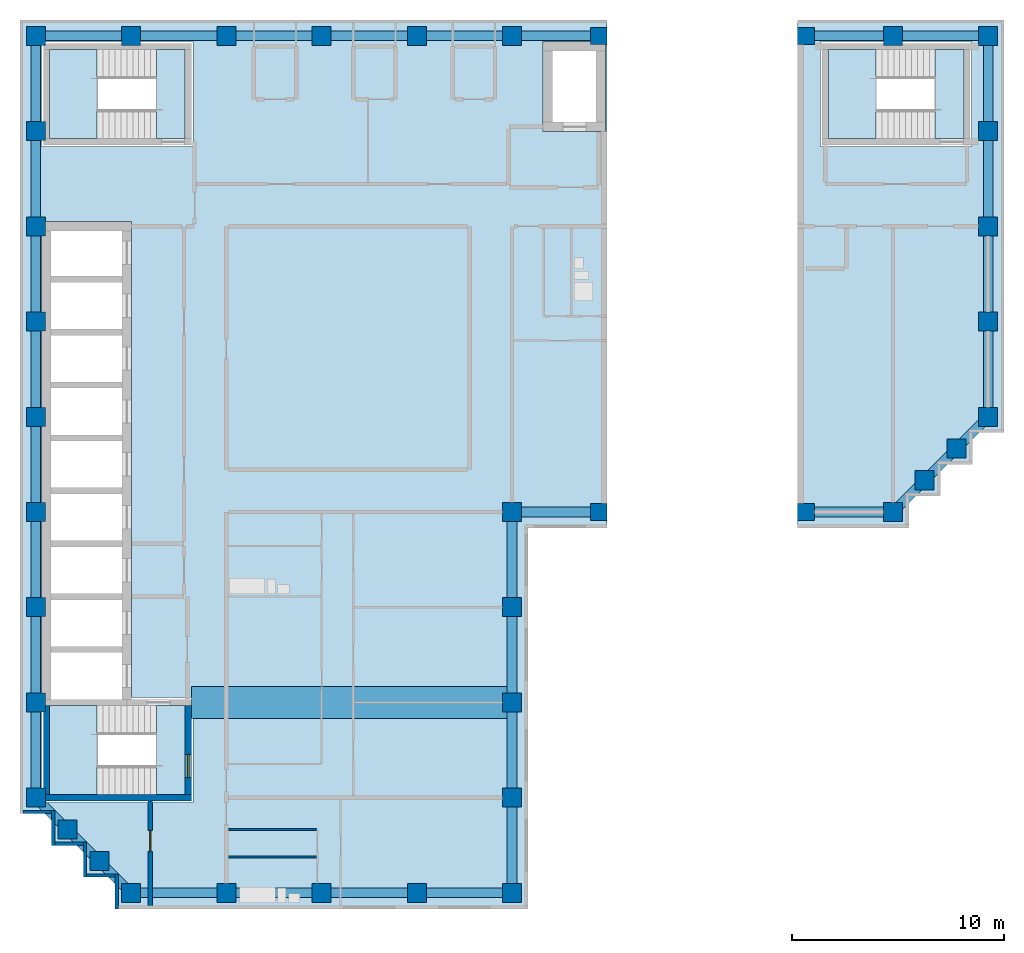
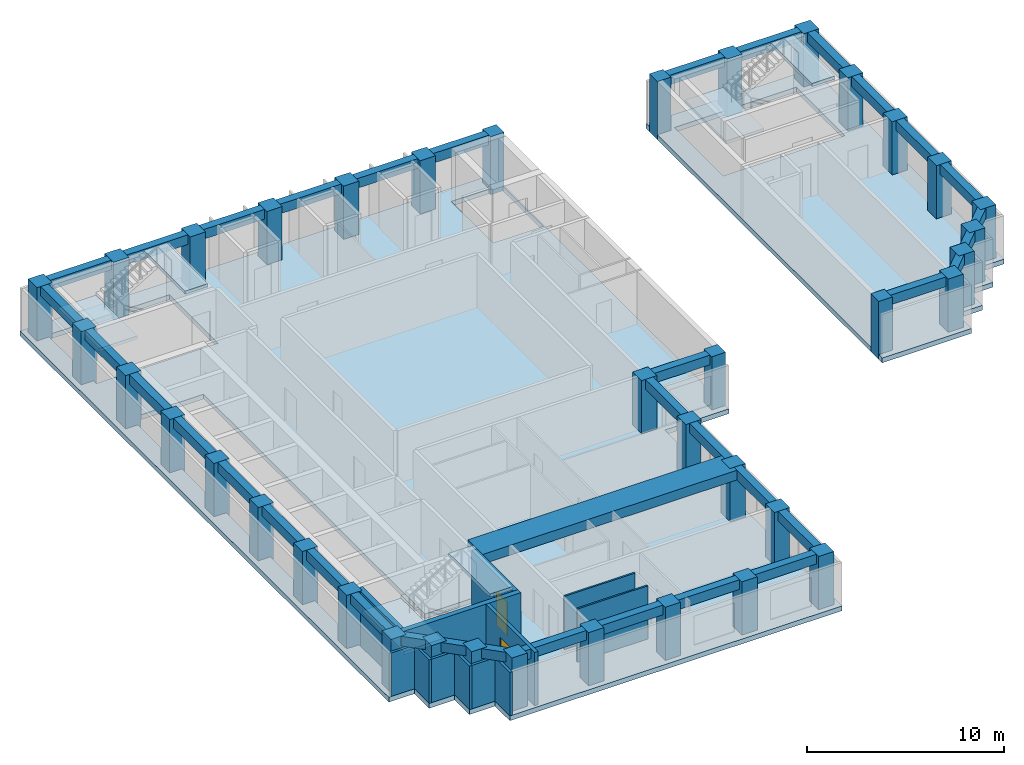
# One storey, part 1 of 7: 38 columns, 37 beams, 12 walls, 8 slabs, 2 doors, 2 openings, 3 elements without a shape of their own.
"""IFC4 building model written with IfcOpenShell, lengths in metres."""

from ifc_helpers import new_model, si_unit, direction, frame, frame_2d, origin, origin_2d, place, context, subcontext, project, spatial, polyline, rectangle, outline, extrude, material, layer, layer_set, material_profile, profile_set, type_object, element, fill, aggregate, save


model = new_model("IFC4")

# Units and contexts
model_context = context("Model", 3, precision=1e-05, world=origin(), true_north=direction((0.0, 1.0)))
body_context = subcontext(model_context, "Body", "Model", "MODEL_VIEW")
ifc_project = project(units=[si_unit("LENGTHUNIT", "METRE"), si_unit("AREAUNIT", "SQUARE_METRE"), si_unit("VOLUMEUNIT", "CUBIC_METRE"), si_unit("PLANEANGLEUNIT", "RADIAN"), si_unit("MASSUNIT", "GRAM", prefix="KILO")], contexts=[model_context])

# Site, building, storey
site_placement = place(None, origin())
site = spatial("IfcSite", under=ifc_project, at=site_placement, CompositionType="ELEMENT")
building_placement = place(site_placement, origin())
building = spatial("IfcBuilding", under=site, at=building_placement, Name="Firuza Court", CompositionType="ELEMENT")
storey_placement = place(building_placement, frame((0.0, 0.0, 243.800048828125)))
storey = spatial("IfcBuildingStorey", under=building, at=storey_placement, Name="L63", CompositionType="ELEMENT", Elevation=243.800048828125)

# Columns
ifc_material_1 = material(Name="Concrete C60/75", Category="concrete")
ifc_material_profile_1 = material_profile(ifc_material_1, rectangle(XDim=0.800048828125, YDim=0.800048828125, at=origin_2d()), Name="RC 800x800")
ifc_profile_set_1 = profile_set([ifc_material_profile_1], Name="Concrete C60/75")
column_type_1 = type_object("IfcColumnType", Name="Portal frame column RC 800x800 C60/75", PredefinedType="COLUMN", material=ifc_profile_set_1)
for number, where, z_axis, x_axis, name in (
    (1, (26.60009765625, 36.0, -0.300048828125), (0.0, 0.0, 1.0), (1.0, 0.0, 0.0), "Column C-PWS L63"),
    (2, (36.39990234375, 36.0, -0.300048828125), (0.0, 0.0, 1.0), (1.0, 0.0, 0.0), "Column C-PES L63"),
    (3, (26.60009765625, 58.5, -0.300048828125), (0.0, 0.0, 1.0), (1.0, 0.0, 0.0), "Column C-PWN L63"),
    (4, (36.39990234375, 58.5, -0.300048828125), (0.0, 0.0, 1.0), (1.0, 0.0, 0.0), "Column C-PEN L63"),
):
    element("IfcColumn", number, at=place(storey_placement, frame(where, z_axis=z_axis, x_axis=x_axis)), inside=storey, type_object=column_type_1, Name=name, PredefinedType="COLUMN", context=body_context, shape_type="SweptSolid", body=[
        extrude(rectangle(XDim=0.800048828125, YDim=0.800048828125, at=origin_2d()), origin(), (0.0, 0.0, 1.0), 3.60009765625),
    ])
ifc_material_2 = material(Name="Concrete C50/60", Category="concrete")
ifc_material_profile_2 = material_profile(ifc_material_2, rectangle(XDim=0.89990234375, YDim=0.89990234375, at=origin_2d()), Name="RC 900x900")
ifc_profile_set_2 = profile_set([ifc_material_profile_2], Name="Concrete C50/60")
column_type_2 = type_object("IfcColumnType", Name="Tube column RC 900x900 C50/60", PredefinedType="COLUMN", material=ifc_profile_set_2)
for number, where, z_axis, x_axis, name in (
    (5, (4.5, 18.0, -0.300048828125), (0.0, 0.0, 1.0), (1.0, 0.0, 0.0), "Column C-2H L63"),
    (6, (9.0, 18.0, -0.300048828125), (0.0, 0.0, 1.0), (1.0, 0.0, 0.0), "Column C-3H L63"),
    (7, (13.5, 18.0, -0.300048828125), (0.0, 0.0, 1.0), (1.0, 0.0, 0.0), "Column C-4H L63"),
    (8, (18.0, 18.0, -0.300048828125), (0.0, 0.0, 1.0), (1.0, 0.0, 0.0), "Column C-5H L63"),
    (9, (22.5, 18.0, -0.300048828125), (0.0, 0.0, 1.0), (1.0, 0.0, 0.0), "Column C-6H L63"),
    (10, (3.0, 19.5, -0.300048828125), (0.0, 0.0, 1.0), (1.0, 0.0, 0.0), "Column C-SA1 L63"),
    (11, (1.5, 21.0, -0.300048828125), (0.0, 0.0, 1.0), (1.0, 0.0, 0.0), "Column C-SA2 L63"),
    (12, (0.0, 22.5, -0.300048828125), (0.0, 0.0, 1.0), (1.0, 0.0, 0.0), "Column C-1J L63"),
    (13, (22.5, 22.5, -0.300048828125), (0.0, 0.0, 1.0), (1.0, 0.0, 0.0), "Column C-6J L63"),
    (14, (0.0, 27.0, -0.300048828125), (0.0, 0.0, 1.0), (1.0, 0.0, 0.0), "Column C-1K L63"),
    (15, (22.5, 27.0, -0.300048828125), (0.0, 0.0, 1.0), (1.0, 0.0, 0.0), "Column C-6K L63"),
    (16, (0.0, 31.5, -0.300048828125), (0.0, 0.0, 1.0), (1.0, 0.0, 0.0), "Column C-1L L63"),
    (17, (22.5, 31.5, -0.300048828125), (0.0, 0.0, 1.0), (1.0, 0.0, 0.0), "Column C-6L L63"),
    (18, (0.0, 36.0, -0.300048828125), (0.0, 0.0, 1.0), (1.0, 0.0, 0.0), "Column C-1M L63"),
    (19, (22.5, 36.0, -0.300048828125), (0.0, 0.0, 1.0), (1.0, 0.0, 0.0), "Column C-6M L63"),
    (20, (40.5, 36.0, -0.300048828125), (0.0, 0.0, 1.0), (1.0, 0.0, 0.0), "Column C-10M L63"),
    (21, (42.0, 37.5, -0.300048828125), (0.0, 0.0, 1.0), (1.0, 0.0, 0.0), "Column C-SA3 L63"),
    (22, (43.5, 39.0, -0.300048828125), (0.0, 0.0, 1.0), (1.0, 0.0, 0.0), "Column C-SA4 L63"),
    (23, (0.0, 40.5, -0.300048828125), (0.0, 0.0, 1.0), (1.0, 0.0, 0.0), "Column C-1N L63"),
    (24, (45.0, 40.5, -0.300048828125), (0.0, 0.0, 1.0), (1.0, 0.0, 0.0), "Column C-11N L63"),
    (25, (0.0, 45.0, -0.300048828125), (0.0, 0.0, 1.0), (1.0, 0.0, 0.0), "Column C-1P L63"),
    (26, (45.0, 45.0, -0.300048828125), (0.0, 0.0, 1.0), (1.0, 0.0, 0.0), "Column C-11P L63"),
    (27, (0.0, 49.5, -0.300048828125), (0.0, 0.0, 1.0), (1.0, 0.0, 0.0), "Column C-1Q L63"),
    (28, (45.0, 49.5, -0.300048828125), (0.0, 0.0, 1.0), (1.0, 0.0, 0.0), "Column C-11Q L63"),
    (29, (0.0, 54.0, -0.300048828125), (0.0, 0.0, 1.0), (1.0, 0.0, 0.0), "Column C-1R L63"),
    (30, (45.0, 54.0, -0.300048828125), (0.0, 0.0, 1.0), (1.0, 0.0, 0.0), "Column C-11R L63"),
    (31, (0.0, 58.5, -0.300048828125), (0.0, 0.0, 1.0), (1.0, 0.0, 0.0), "Column C-1S L63"),
    (32, (4.5, 58.5, -0.300048828125), (0.0, 0.0, 1.0), (1.0, 0.0, 0.0), "Column C-2S L63"),
    (33, (9.0, 58.5, -0.300048828125), (0.0, 0.0, 1.0), (1.0, 0.0, 0.0), "Column C-3S L63"),
    (34, (13.5, 58.5, -0.300048828125), (0.0, 0.0, 1.0), (1.0, 0.0, 0.0), "Column C-4S L63"),
    (35, (18.0, 58.5, -0.300048828125), (0.0, 0.0, 1.0), (1.0, 0.0, 0.0), "Column C-5S L63"),
    (36, (22.5, 58.5, -0.300048828125), (0.0, 0.0, 1.0), (1.0, 0.0, 0.0), "Column C-6S L63"),
    (37, (40.5, 58.5, -0.300048828125), (0.0, 0.0, 1.0), (1.0, 0.0, 0.0), "Column C-10S L63"),
    (38, (45.0, 58.5, -0.300048828125), (0.0, 0.0, 1.0), (1.0, 0.0, 0.0), "Column C-11S L63"),
):
    element("IfcColumn", number, at=place(storey_placement, frame(where, z_axis=z_axis, x_axis=x_axis)), inside=storey, type_object=column_type_2, Name=name, PredefinedType="COLUMN", context=body_context, shape_type="SweptSolid", body=[
        extrude(rectangle(XDim=0.89990234375, YDim=0.89990234375, at=origin_2d()), origin(), (0.0, 0.0, 1.0), 3.60009765625),
    ])

# Beams
ifc_material_3 = material(Name="Concrete C40/50", Category="concrete")
ifc_material_profile_3 = material_profile(ifc_material_3, rectangle(XDim=1.5, YDim=0.60009765625, at=origin_2d()), Name="RC 1500x600")
ifc_profile_set_3 = profile_set([ifc_material_profile_3], Name="Concrete C40/50")
beam_type_1 = type_object("IfcBeamType", Name="Band beam RC 1500x600 C40/50", PredefinedType="BEAM", material=ifc_profile_set_3)
beam_1_placement = place(storey_placement, frame((22.5, 27.0, 3.0), z_axis=(-1.0, 0.0, 0.0), x_axis=(0.0, -1.0, 0.0)))
element("IfcBeam", 39, at=beam_1_placement, inside=storey, type_object=beam_type_1, Name="Band beam FB3 level L64", PredefinedType="BEAM", context=body_context, shape_type="SweptSolid", body=[
    extrude(rectangle(XDim=1.5, YDim=0.60009765625, at=origin_2d()), origin(), (0.0, 0.0, 1.0), 15.14990234375),
])
ifc_material_4 = material(Name="Concrete C40/50", Category="concrete")
ifc_material_profile_4 = material_profile(ifc_material_4, rectangle(XDim=0.449951171875, YDim=0.60009765625, at=origin_2d()), Name="RC 450x600")
ifc_profile_set_4 = profile_set([ifc_material_profile_4], Name="Concrete C40/50")
beam_type_2 = type_object("IfcBeamType", Name="Spandrel beam RC 450x600 C40/50", PredefinedType="BEAM", material=ifc_profile_set_4)
beam_2_placement = place(storey_placement, frame((0.0, 22.5, 3.0), z_axis=(0.707106781187, -0.707106781187, 0.0), x_axis=(0.707106781187, 0.707106781187, 0.0)))
element("IfcBeam", 40, at=beam_2_placement, inside=storey, type_object=beam_type_2, Name="Spandrel beam SP15 level L64", PredefinedType="BEAM", context=body_context, shape_type="SweptSolid", body=[
    extrude(rectangle(XDim=0.449951171875, YDim=0.60009765625, at=origin_2d()), origin(), (0.0, 0.0, 1.0), 2.121337890625),
])
for number, where, z_axis, x_axis, name in (
    (41, (0.0, 27.0, 3.0), (0.0, -1.0, 0.0), (1.0, 0.0, 0.0), "Spandrel beam SP15 level L64"),
    (42, (0.0, 31.5, 3.0), (0.0, -1.0, 0.0), (1.0, 0.0, 0.0), "Spandrel beam SP15 level L64"),
    (43, (0.0, 36.0, 3.0), (0.0, -1.0, 0.0), (1.0, 0.0, 0.0), "Spandrel beam SP15 level L64"),
    (44, (0.0, 40.5, 3.0), (0.0, -1.0, 0.0), (1.0, 0.0, 0.0), "Spandrel beam SP15 level L64"),
    (45, (0.0, 45.0, 3.0), (0.0, -1.0, 0.0), (1.0, 0.0, 0.0), "Spandrel beam SP15 level L64"),
    (46, (0.0, 49.5, 3.0), (0.0, -1.0, 0.0), (1.0, 0.0, 0.0), "Spandrel beam SP15 level L64"),
    (47, (0.0, 54.0, 3.0), (0.0, -1.0, 0.0), (1.0, 0.0, 0.0), "Spandrel beam SP15 level L64"),
    (48, (0.0, 58.5, 3.0), (0.0, -1.0, 0.0), (1.0, 0.0, 0.0), "Spandrel beam SP15 level L64"),
):
    element("IfcBeam", number, at=place(storey_placement, frame(where, z_axis=z_axis, x_axis=x_axis)), inside=storey, type_object=beam_type_2, Name=name, PredefinedType="BEAM", context=body_context, shape_type="SweptSolid", body=[
        extrude(rectangle(XDim=0.449951171875, YDim=0.60009765625, at=origin_2d()), origin(), (0.0, 0.0, 1.0), 4.5),
    ])
for number, where, z_axis, x_axis, name in (
    (49, (1.5, 21.0, 3.0), (0.707106781187, -0.707106781187, 0.0), (0.707106781187, 0.707106781187, 0.0), "Spandrel beam SP15 level L64"),
    (50, (3.0, 19.5, 3.0), (0.707106781187, -0.707106781187, 0.0), (0.707106781187, 0.707106781187, 0.0), "Spandrel beam SP15 level L64"),
):
    element("IfcBeam", number, at=place(storey_placement, frame(where, z_axis=z_axis, x_axis=x_axis)), inside=storey, type_object=beam_type_2, Name=name, PredefinedType="BEAM", context=body_context, shape_type="SweptSolid", body=[
        extrude(rectangle(XDim=0.449951171875, YDim=0.60009765625, at=origin_2d()), origin(), (0.0, 0.0, 1.0), 2.121337890625),
    ])
for number, where, z_axis, x_axis, name in (
    (51, (4.5, 18.0, 3.0), (1.0, 0.0, 0.0), (0.0, 1.0, 0.0), "Spandrel beam SP15 level L64"),
    (52, (4.5, 58.5, 3.0), (-1.0, 0.0, 0.0), (0.0, -1.0, 0.0), "Spandrel beam SP15 level L64"),
    (53, (9.0, 18.0, 3.0), (1.0, 0.0, 0.0), (0.0, 1.0, 0.0), "Spandrel beam SP15 level L64"),
    (54, (9.0, 58.5, 3.0), (-1.0, 0.0, 0.0), (0.0, -1.0, 0.0), "Spandrel beam SP15 level L64"),
    (55, (13.5, 18.0, 3.0), (1.0, 0.0, 0.0), (0.0, 1.0, 0.0), "Spandrel beam SP15 level L64"),
    (56, (13.5, 58.5, 3.0), (-1.0, 0.0, 0.0), (0.0, -1.0, 0.0), "Spandrel beam SP15 level L64"),
    (57, (18.0, 18.0, 3.0), (1.0, 0.0, 0.0), (0.0, 1.0, 0.0), "Spandrel beam SP15 level L64"),
    (58, (18.0, 58.5, 3.0), (-1.0, 0.0, 0.0), (0.0, -1.0, 0.0), "Spandrel beam SP15 level L64"),
    (59, (22.5, 18.0, 3.0), (0.0, 1.0, 0.0), (-1.0, 0.0, 0.0), "Spandrel beam SP15 level L64"),
    (60, (22.5, 22.5, 3.0), (0.0, 1.0, 0.0), (-1.0, 0.0, 0.0), "Spandrel beam SP15 level L64"),
    (61, (22.5, 27.0, 3.0), (0.0, 1.0, 0.0), (-1.0, 0.0, 0.0), "Spandrel beam SP15 level L64"),
    (62, (22.5, 31.5, 3.0), (0.0, 1.0, 0.0), (-1.0, 0.0, 0.0), "Spandrel beam SP15 level L64"),
):
    element("IfcBeam", number, at=place(storey_placement, frame(where, z_axis=z_axis, x_axis=x_axis)), inside=storey, type_object=beam_type_2, Name=name, PredefinedType="BEAM", context=body_context, shape_type="SweptSolid", body=[
        extrude(rectangle(XDim=0.449951171875, YDim=0.60009765625, at=origin_2d()), origin(), (0.0, 0.0, 1.0), 4.5),
    ])
beam_3_placement = place(storey_placement, frame((22.5, 36.0, 3.0), z_axis=(1.0, 0.0, 0.0), x_axis=(0.0, 1.0, 0.0)))
element("IfcBeam", 63, at=beam_3_placement, inside=storey, type_object=beam_type_2, Name="Spandrel beam SP15 level L64", PredefinedType="BEAM", context=body_context, shape_type="SweptSolid", body=[
    extrude(rectangle(XDim=0.449951171875, YDim=0.60009765625, at=origin_2d()), origin(), (0.0, 0.0, 1.0), 4.10009765625),
])
beam_4_placement = place(storey_placement, frame((22.5, 58.5, 3.0), z_axis=(-1.0, 0.0, 0.0), x_axis=(0.0, -1.0, 0.0)))
element("IfcBeam", 64, at=beam_4_placement, inside=storey, type_object=beam_type_2, Name="Spandrel beam SP15 level L64", PredefinedType="BEAM", context=body_context, shape_type="SweptSolid", body=[
    extrude(rectangle(XDim=0.449951171875, YDim=0.60009765625, at=origin_2d()), origin(), (0.0, 0.0, 1.0), 4.5),
])
for number, where, z_axis, x_axis, name in (
    (65, (26.60009765625, 58.5, 3.0), (-1.0, 0.0, 0.0), (0.0, -1.0, 0.0), "Spandrel beam SP15 level L64"),
    (66, (36.39990234375, 36.0, 3.0), (1.0, 0.0, 0.0), (0.0, 1.0, 0.0), "Spandrel beam SP15 level L64"),
):
    element("IfcBeam", number, at=place(storey_placement, frame(where, z_axis=z_axis, x_axis=x_axis)), inside=storey, type_object=beam_type_2, Name=name, PredefinedType="BEAM", context=body_context, shape_type="SweptSolid", body=[
        extrude(rectangle(XDim=0.449951171875, YDim=0.60009765625, at=origin_2d()), origin(), (0.0, 0.0, 1.0), 4.10009765625),
    ])
beam_5_placement = place(storey_placement, frame((40.5, 36.0, 3.0), z_axis=(0.707106781187, 0.707106781187, 0.0), x_axis=(-0.707106781187, 0.707106781187, 0.0)))
element("IfcBeam", 67, at=beam_5_placement, inside=storey, type_object=beam_type_2, Name="Spandrel beam SP15 level L64", PredefinedType="BEAM", context=body_context, shape_type="SweptSolid", body=[
    extrude(rectangle(XDim=0.449951171875, YDim=0.60009765625, at=origin_2d()), origin(), (0.0, 0.0, 1.0), 2.121337890625),
])
beam_6_placement = place(storey_placement, frame((40.5, 58.5, 3.0), z_axis=(-1.0, 0.0, 0.0), x_axis=(0.0, -1.0, 0.0)))
element("IfcBeam", 68, at=beam_6_placement, inside=storey, type_object=beam_type_2, Name="Spandrel beam SP15 level L64", PredefinedType="BEAM", context=body_context, shape_type="SweptSolid", body=[
    extrude(rectangle(XDim=0.449951171875, YDim=0.60009765625, at=origin_2d()), origin(), (0.0, 0.0, 1.0), 4.10009765625),
])
for number, where, z_axis, x_axis, name in (
    (69, (42.0, 37.5, 3.0), (0.707106781187, 0.707106781187, 0.0), (-0.707106781187, 0.707106781187, 0.0), "Spandrel beam SP15 level L64"),
    (70, (43.5, 39.0, 3.0), (0.707106781187, 0.707106781187, 0.0), (-0.707106781187, 0.707106781187, 0.0), "Spandrel beam SP15 level L64"),
):
    element("IfcBeam", number, at=place(storey_placement, frame(where, z_axis=z_axis, x_axis=x_axis)), inside=storey, type_object=beam_type_2, Name=name, PredefinedType="BEAM", context=body_context, shape_type="SweptSolid", body=[
        extrude(rectangle(XDim=0.449951171875, YDim=0.60009765625, at=origin_2d()), origin(), (0.0, 0.0, 1.0), 2.121337890625),
    ])
for number, where, z_axis, x_axis, name in (
    (71, (45.0, 40.5, 3.0), (0.0, 1.0, 0.0), (-1.0, 0.0, 0.0), "Spandrel beam SP15 level L64"),
    (72, (45.0, 45.0, 3.0), (0.0, 1.0, 0.0), (-1.0, 0.0, 0.0), "Spandrel beam SP15 level L64"),
    (73, (45.0, 49.5, 3.0), (0.0, 1.0, 0.0), (-1.0, 0.0, 0.0), "Spandrel beam SP15 level L64"),
    (74, (45.0, 54.0, 3.0), (0.0, 1.0, 0.0), (-1.0, 0.0, 0.0), "Spandrel beam SP15 level L64"),
    (75, (45.0, 58.5, 3.0), (-1.0, 0.0, 0.0), (0.0, -1.0, 0.0), "Spandrel beam SP15 level L64"),
):
    element("IfcBeam", number, at=place(storey_placement, frame(where, z_axis=z_axis, x_axis=x_axis)), inside=storey, type_object=beam_type_2, Name=name, PredefinedType="BEAM", context=body_context, shape_type="SweptSolid", body=[
        extrude(rectangle(XDim=0.449951171875, YDim=0.60009765625, at=origin_2d()), origin(), (0.0, 0.0, 1.0), 4.5),
    ])

# Slabs
ifc_material_5 = material(Name="Concrete C40/50", Category="concrete")
ifc_layer_1 = layer(ifc_material_5, 0.300048828125)
ifc_layer_set_1 = layer_set([ifc_layer_1], Name="Concrete C40/50")
slab_type_1 = type_object("IfcSlabType", Name="Floor slab 300 C40/50", PredefinedType="FLOOR", material=ifc_layer_set_1)
slab_1_placement = place(storey_placement, frame((0.0, 0.0, -0.300048828125)))
element("IfcSlab", 76, at=slab_1_placement, inside=storey, type_object=slab_type_1, Name="Floor slab L63", PredefinedType="FLOOR", context=body_context, shape_type="SweptSolid", body=[
    extrude(outline(polyline([(27.0, 59.25), (27.0, 35.25), (23.25, 35.25), (23.25, 17.25), (3.75, 17.25), (3.75, 18.75), (2.25, 18.75), (2.25, 20.25), (0.75, 20.25), (0.75, 21.75), (-0.75, 21.75), (-0.75, 59.25), (27.0, 59.25)]), holes=[polyline([(0.27490234375, 34.27490234375), (0.27490234375, 32.22509765625), (0.27490234375, 31.77490234375), (0.27490234375, 29.72509765625), (0.27490234375, 29.27490234375), (0.27490234375, 27.22509765625), (0.27490234375, 26.77490234375), (0.27490234375, 22.27490234375), (7.425048828125, 22.27490234375), (7.425048828125, 27.22509765625), (4.52490234375, 27.22509765625), (4.52490234375, 29.27490234375), (4.52490234375, 29.72509765625), (4.52490234375, 31.77490234375), (4.52490234375, 32.22509765625), (4.52490234375, 34.27490234375), (4.52490234375, 34.72509765625), (4.52490234375, 36.77490234375), (4.52490234375, 37.22509765625), (4.52490234375, 39.27490234375), (4.52490234375, 39.72509765625), (4.52490234375, 41.77490234375), (4.52490234375, 42.22509765625), (4.52490234375, 44.27490234375), (4.52490234375, 44.72509765625), (4.52490234375, 46.77490234375), (4.52490234375, 47.22509765625), (4.52490234375, 49.72509765625), (0.27490234375, 49.72509765625), (0.27490234375, 47.22509765625), (0.27490234375, 46.77490234375), (0.27490234375, 44.72509765625), (0.27490234375, 44.27490234375), (0.27490234375, 42.22509765625), (0.27490234375, 41.77490234375), (0.27490234375, 39.72509765625), (0.27490234375, 39.27490234375), (0.27490234375, 37.22509765625), (0.27490234375, 36.77490234375), (0.27490234375, 34.72509765625), (0.27490234375, 34.27490234375)]), polyline([(7.425048828125, 58.22509765625), (0.27490234375, 58.22509765625), (0.27490234375, 53.27490234375), (7.425048828125, 53.27490234375), (7.425048828125, 58.22509765625)]), polyline([(26.925048828125, 58.22509765625), (23.97509765625, 58.22509765625), (23.97509765625, 53.97509765625), (26.925048828125, 53.97509765625), (26.925048828125, 58.22509765625)])]), origin(), (0.0, 0.0, 1.0), 0.300048828125),
])
slab_2_placement = place(storey_placement, frame((0.0, 0.0, -0.300048828125)))
element("IfcSlab", 77, at=slab_2_placement, inside=storey, type_object=slab_type_1, Name="Floor slab L63", PredefinedType="FLOOR", context=body_context, shape_type="SweptSolid", body=[
    extrude(outline(polyline([(45.75, 39.75), (44.25, 39.75), (44.25, 38.25), (42.75, 38.25), (42.75, 36.75), (41.25, 36.75), (41.25, 35.25), (36.0, 35.25), (36.0, 59.25), (45.75, 59.25), (45.75, 39.75)]), holes=[polyline([(44.22509765625, 58.22509765625), (37.074951171875, 58.22509765625), (37.074951171875, 53.27490234375), (44.22509765625, 53.27490234375), (44.22509765625, 58.22509765625)])]), origin(), (0.0, 0.0, 1.0), 0.300048828125),
])

# Stair, slabs
ifc_material_6 = material(Name="Concrete C40/50 precast", Category="concrete")
stair_type = type_object("IfcStairType", Name="Stair 1350 x 3600 2 flights", PredefinedType="HALF_TURN_STAIR", material=ifc_material_6)
stair_1_placement = place(storey_placement, origin())
stair_1 = element("IfcStair", 78, at=stair_1_placement, inside=storey, type_object=stair_type, Name="Stair 1 L63", PredefinedType="HALF_TURN_STAIR")
ifc_material_7 = material(Name="Concrete C40/50 precast", Category="concrete")
ifc_layer_2 = layer(ifc_material_7, 0.199951171875)
ifc_layer_set_2 = layer_set([ifc_layer_2], Name="Concrete C40/50 precast")
slab_type_2 = type_object("IfcSlabType", Name="Stair landing 200", PredefinedType="LANDING", material=ifc_layer_set_2)
slab_3_placement = place(storey_placement, frame((0.0, 0.0, 1.599853515625)))
slab_3 = element("IfcSlab", 79, at=slab_3_placement, type_object=slab_type_2, Name="S1 landing 1", PredefinedType="LANDING", context=body_context, shape_type="SweptSolid", body=[
    extrude(outline(polyline([(39.699951171875, 53.64990234375), (39.699951171875, 57.85009765625), (37.449951171875, 57.85009765625), (37.449951171875, 53.64990234375), (39.699951171875, 53.64990234375)])), origin(), (0.0, 0.0, 1.0), 0.2001953125),
])
slab_4_placement = place(storey_placement, frame((0.0, 0.0, 3.39990234375)))
slab_4 = element("IfcSlab", 80, at=slab_4_placement, type_object=slab_type_2, Name="S1 landing 2", PredefinedType="LANDING", context=body_context, shape_type="SweptSolid", body=[
    extrude(outline(polyline([(43.85009765625, 53.64990234375), (43.85009765625, 57.85009765625), (42.5, 57.85009765625), (42.5, 53.64990234375), (43.85009765625, 53.64990234375)])), origin(), (0.0, 0.0, 1.0), 0.199951171875),
])
aggregate(stair_1, [slab_3, slab_4])

stair_2_placement = place(storey_placement, origin())
stair_2 = element("IfcStair", 81, at=stair_2_placement, inside=storey, type_object=stair_type, Name="Stair 2 L63", PredefinedType="HALF_TURN_STAIR")
slab_5_placement = place(storey_placement, frame((0.0, 0.0, 1.599853515625)))
slab_5 = element("IfcSlab", 82, at=slab_5_placement, type_object=slab_type_2, Name="S2 landing 1", PredefinedType="LANDING", context=body_context, shape_type="SweptSolid", body=[
    extrude(outline(polyline([(2.89990234375, 22.64990234375), (2.89990234375, 26.85009765625), (0.64990234375, 26.85009765625), (0.64990234375, 22.64990234375), (2.89990234375, 22.64990234375)])), origin(), (0.0, 0.0, 1.0), 0.2001953125),
])
slab_6_placement = place(storey_placement, frame((0.0, 0.0, 3.39990234375)))
slab_6 = element("IfcSlab", 83, at=slab_6_placement, type_object=slab_type_2, Name="S2 landing 2", PredefinedType="LANDING", context=body_context, shape_type="SweptSolid", body=[
    extrude(outline(polyline([(7.050048828125, 22.64990234375), (7.050048828125, 26.85009765625), (5.699951171875, 26.85009765625), (5.699951171875, 22.64990234375), (7.050048828125, 22.64990234375)])), origin(), (0.0, 0.0, 1.0), 0.199951171875),
])
aggregate(stair_2, [slab_5, slab_6])

stair_3_placement = place(storey_placement, origin())
stair_3 = element("IfcStair", 84, at=stair_3_placement, inside=storey, type_object=stair_type, Name="Stair 3 L63", PredefinedType="HALF_TURN_STAIR")
slab_7_placement = place(storey_placement, frame((0.0, 0.0, 1.599853515625)))
slab_7 = element("IfcSlab", 85, at=slab_7_placement, type_object=slab_type_2, Name="S3 landing 1", PredefinedType="LANDING", context=body_context, shape_type="SweptSolid", body=[
    extrude(outline(polyline([(2.89990234375, 53.64990234375), (2.89990234375, 57.85009765625), (0.64990234375, 57.85009765625), (0.64990234375, 53.64990234375), (2.89990234375, 53.64990234375)])), origin(), (0.0, 0.0, 1.0), 0.2001953125),
])
slab_8_placement = place(storey_placement, frame((0.0, 0.0, 3.39990234375)))
slab_8 = element("IfcSlab", 86, at=slab_8_placement, type_object=slab_type_2, Name="S3 landing 2", PredefinedType="LANDING", context=body_context, shape_type="SweptSolid", body=[
    extrude(outline(polyline([(7.050048828125, 53.64990234375), (7.050048828125, 57.85009765625), (5.699951171875, 57.85009765625), (5.699951171875, 53.64990234375), (7.050048828125, 53.64990234375)])), origin(), (0.0, 0.0, 1.0), 0.199951171875),
])
aggregate(stair_3, [slab_7, slab_8])

# Walls
ifc_material_8 = material(Name="Moisture-resistant gypsum board partition")
ifc_layer_3 = layer(ifc_material_8, 0.10009765625)
ifc_layer_set_3 = layer_set([ifc_layer_3], Name="Moisture-resistant gypsum board partition")
wall_type_1 = type_object("IfcWallType", Name="Bathroom partition 100", PredefinedType="PLUMBINGWALL", material=ifc_layer_set_3)
wall_1_placement = place(storey_placement, frame((9.10009765625, 19.699951171875, 0.0), z_axis=(0.0, 0.0, 1.0), x_axis=(1.0, 0.0, 0.0)))
element("IfcWall", 87, at=wall_1_placement, inside=storey, type_object=wall_type_1, Name="Bathroom partition 100 L63", PredefinedType="PLUMBINGWALL", context=body_context, shape_type="SweptSolid", body=[
    extrude(rectangle(XDim=4.14990234375, YDim=0.10009765625, at=frame_2d((2.074951171875, 0.0))), origin(), (0.0, 0.0, 1.0), 3.300048828125),
])
ifc_material_9 = material(Name="Concrete C50/60", Category="concrete")
ifc_layer_4 = layer(ifc_material_9, 0.300048828125)
ifc_layer_set_4 = layer_set([ifc_layer_4], Name="Concrete C50/60")
wall_type_2 = type_object("IfcWallType", Name="Core wall 300 C50/60", PredefinedType="SHEAR", material=ifc_layer_set_4)
wall_2_placement = place(storey_placement, frame((0.35009765625, 22.5, -0.300048828125), z_axis=(0.0, 0.0, 1.0), x_axis=(1.0, 0.0, 0.0)))
element("IfcWall", 88, at=wall_2_placement, inside=storey, type_object=wall_type_2, Name="Core wall stair L63", PredefinedType="SHEAR", context=body_context, shape_type="SweptSolid", body=[
    extrude(rectangle(XDim=7.0, YDim=0.300048828125, at=frame_2d((3.5, 0.0))), origin(), (0.0, 0.0, 1.0), 3.60009765625),
])
wall_3_placement = place(storey_placement, frame((0.5, 22.64990234375, -0.300048828125), z_axis=(0.0, 0.0, 1.0), x_axis=(0.0, 1.0, 0.0)))
element("IfcWall", 89, at=wall_3_placement, inside=storey, type_object=wall_type_2, Name="Core wall stair L63", PredefinedType="SHEAR", context=body_context, shape_type="SweptSolid", body=[
    extrude(rectangle(XDim=4.2001953125, YDim=0.300048828125, at=frame_2d((2.10009765625, 0.0))), origin(), (0.0, 0.0, 1.0), 3.60009765625),
])

# Wall, opening, door
wall_4_placement = place(storey_placement, frame((7.199951171875, 22.64990234375, -0.300048828125), z_axis=(0.0, 0.0, 1.0), x_axis=(0.0, 1.0, 0.0)))
wall_4 = element("IfcWall", 90, at=wall_4_placement, inside=storey, type_object=wall_type_2, Name="Core wall stair L63", PredefinedType="SHEAR", context=body_context, shape_type="SweptSolid", body=[
    extrude(rectangle(XDim=4.2001953125, YDim=0.300048828125, at=frame_2d((2.10009765625, 0.0))), origin(), (0.0, 0.0, 1.0), 3.60009765625),
])
opening_1_placement = place(wall_4_placement, frame((0.800048828125, 0.0, 0.300048828125)))
opening_1 = element("IfcOpeningElement", 91, at=opening_1_placement, cuts=wall_4, Name="Opening D63010", PredefinedType="OPENING", context=body_context, shape_type="SweptSolid", body=[
    extrude(rectangle(XDim=1.10009765625, YDim=2.10009765625, at=frame_2d((0.550048828125, 1.050048828125))), frame((0.0, 0.162109375, 0.0), z_axis=(0.0, -1.0, 0.0), x_axis=(1.0, 0.0, 0.0)), (0.0, 0.0, 1.0), 0.323974609375),
])
ifc_material_10 = material(Name="Timber door leaf in hardwood frame", Category="wood")
door_type_1 = type_object("IfcDoorType", Name="Stair door 1100", OperationType="SINGLE_SWING_LEFT", PredefinedType="DOOR", material=ifc_material_10)
door_1_placement = place(opening_1_placement, origin())
door_1 = element("IfcDoor", 92, at=door_1_placement, inside=storey, type_object=door_type_1, Name="Stair door S2", OperationType="SINGLE_SWING_LEFT", OverallHeight=2.10009765625, OverallWidth=1.10009765625, PredefinedType="DOOR", context=body_context, shape_type="SweptSolid", body=[
    extrude(rectangle(XDim=1.10009765625, YDim=2.10009765625, at=frame_2d((0.550048828125, 1.050048828125))), frame((0.0, 0.02490234375, 0.0), z_axis=(0.0, -1.0, 0.0), x_axis=(1.0, 0.0, 0.0)), (0.0, 0.0, 1.0), 0.050048828125),
])
fill(opening_1, door_1)

ifc_material_11 = material(Name="Blockwork, plastered both sides", Category="masonry")
ifc_layer_5 = layer(ifc_material_11, 0.199951171875)
ifc_layer_set_5 = layer_set([ifc_layer_5], Name="Blockwork, plastered both sides")
wall_type_3 = type_object("IfcWallType", Name="Corridor wall 200", PredefinedType="PARTITIONING", material=ifc_layer_set_5)
wall_5_placement = place(storey_placement, frame((5.39990234375, 17.39990234375, 0.0), z_axis=(0.0, 0.0, 1.0), x_axis=(0.0, 1.0, 0.0)))
wall_5 = element("IfcWall", 93, at=wall_5_placement, inside=storey, type_object=wall_type_3, Name="Corridor wall 200 L63", PredefinedType="PARTITIONING", context=body_context, shape_type="SweptSolid", body=[
    extrude(rectangle(XDim=4.9501953125, YDim=0.199951171875, at=frame_2d((2.47509765625, 0.0))), origin(), (0.0, 0.0, 1.0), 3.300048828125),
])
opening_2_placement = place(wall_5_placement, frame((2.550048828125, 0.0, 0.0)))
opening_2 = element("IfcOpeningElement", 94, at=opening_2_placement, cuts=wall_5, Name="Opening D63012", PredefinedType="OPENING", context=body_context, shape_type="SweptSolid", body=[
    extrude(rectangle(XDim=1.0, YDim=2.10009765625, at=frame_2d((0.5, 1.050048828125))), frame((0.0, 0.11181640625, 0.0), z_axis=(0.0, -1.0, 0.0), x_axis=(1.0, 0.0, 0.0)), (0.0, 0.0, 1.0), 0.223876953125),
])
ifc_material_12 = material(Name="Timber door leaf in hardwood frame", Category="wood")
door_type_2 = type_object("IfcDoorType", Name="Store door 1000", OperationType="SINGLE_SWING_LEFT", PredefinedType="DOOR", material=ifc_material_12)
door_2_placement = place(opening_2_placement, origin())
door_2 = element("IfcDoor", 95, at=door_2_placement, inside=storey, type_object=door_type_2, Name="Parcel room door", OperationType="SINGLE_SWING_RIGHT", OverallHeight=2.10009765625, OverallWidth=1.0, PredefinedType="DOOR", context=body_context, shape_type="SweptSolid", body=[
    extrude(rectangle(XDim=1.0, YDim=2.10009765625, at=frame_2d((0.5, 1.050048828125))), frame((0.0, 0.02490234375, 0.0), z_axis=(0.0, -1.0, 0.0), x_axis=(1.0, 0.0, 0.0)), (0.0, 0.0, 1.0), 0.050048828125),
])
fill(opening_2, door_2)

# Walls
ifc_material_13 = material(Name="Timber stud partition, plasterboard both sides", Category="wood")
ifc_layer_6 = layer(ifc_material_13, 0.10009765625)
ifc_layer_set_6 = layer_set([ifc_layer_6], Name="Timber stud partition, plasterboard both sides")
wall_type_4 = type_object("IfcWallType", Name="Partition wall 100", PredefinedType="PARTITIONING", material=ifc_layer_set_6)
wall_6_placement = place(storey_placement, frame((9.10009765625, 21.0, 0.0), z_axis=(0.0, 0.0, 1.0), x_axis=(1.0, 0.0, 0.0)))
element("IfcWall", 96, at=wall_6_placement, inside=storey, type_object=wall_type_4, Name="Partition wall 100 L63", PredefinedType="PARTITIONING", context=body_context, shape_type="SweptSolid", body=[
    extrude(rectangle(XDim=4.14990234375, YDim=0.10009765625, at=frame_2d((2.074951171875, 0.0))), origin(), (0.0, 0.0, 1.0), 3.300048828125),
])
ifc_material_14 = material(Name="Ceramic tile", Category="ceramic")
ifc_layer_7 = layer(ifc_material_14, 0.02001953125)
ifc_material_15 = material(Name="Mineral wool insulation", Category="insulation")
ifc_layer_8 = layer(ifc_material_15, 0.050048828125)
ifc_layer_9 = layer(ifc_material_7, 0.080078125)
ifc_layer_set_7 = layer_set([ifc_layer_7, ifc_layer_8, ifc_layer_9], Name="Concrete C40/50 precast")
wall_type_5 = type_object("IfcWallType", Name="Precast cladding wall with turquoise TILE PANEL face 150", PredefinedType="STANDARD", material=ifc_layer_set_7)
wall_7_placement = place(storey_placement, frame((-0.60009765625, 21.824951171875, 0.0), z_axis=(0.0, 0.0, 1.0), x_axis=(1.0, 0.0, 0.0)))
element("IfcWall", 97, at=wall_7_placement, inside=storey, type_object=wall_type_5, Name="Facade wall L63 S", PredefinedType="STANDARD", context=body_context, shape_type="SweptSolid", body=[
    extrude(rectangle(XDim=1.35009765625, YDim=0.14990234375, at=frame_2d((0.675048828125, 0.0))), origin(), (0.0, 0.0, 1.0), 2.699951171875),
])
wall_8_placement = place(storey_placement, frame((0.824951171875, 21.89990234375, 0.0), z_axis=(0.0, 0.0, 1.0), x_axis=(0.0, -1.0, 0.0)))
element("IfcWall", 98, at=wall_8_placement, inside=storey, type_object=wall_type_5, Name="Facade wall L63 W", PredefinedType="STANDARD", context=body_context, shape_type="SweptSolid", body=[
    extrude(rectangle(XDim=1.64990234375, YDim=0.14990234375, at=frame_2d((0.824951171875, 0.0))), origin(), (0.0, 0.0, 1.0), 2.699951171875),
])
wall_9_placement = place(storey_placement, frame((0.89990234375, 20.324951171875, 0.0), z_axis=(0.0, 0.0, 1.0), x_axis=(1.0, 0.0, 0.0)))
element("IfcWall", 99, at=wall_9_placement, inside=storey, type_object=wall_type_5, Name="Facade wall L63 S", PredefinedType="STANDARD", context=body_context, shape_type="SweptSolid", body=[
    extrude(rectangle(XDim=1.35009765625, YDim=0.14990234375, at=frame_2d((0.675048828125, 0.0))), origin(), (0.0, 0.0, 1.0), 2.699951171875),
])
wall_10_placement = place(storey_placement, frame((2.324951171875, 20.39990234375, 0.0), z_axis=(0.0, 0.0, 1.0), x_axis=(0.0, -1.0, 0.0)))
element("IfcWall", 100, at=wall_10_placement, inside=storey, type_object=wall_type_5, Name="Facade wall L63 W", PredefinedType="STANDARD", context=body_context, shape_type="SweptSolid", body=[
    extrude(rectangle(XDim=1.64990234375, YDim=0.14990234375, at=frame_2d((0.824951171875, 0.0))), origin(), (0.0, 0.0, 1.0), 2.699951171875),
])
wall_11_placement = place(storey_placement, frame((2.39990234375, 18.824951171875, 0.0), z_axis=(0.0, 0.0, 1.0), x_axis=(1.0, 0.0, 0.0)))
element("IfcWall", 101, at=wall_11_placement, inside=storey, type_object=wall_type_5, Name="Facade wall L63 S", PredefinedType="STANDARD", context=body_context, shape_type="SweptSolid", body=[
    extrude(rectangle(XDim=1.35009765625, YDim=0.14990234375, at=frame_2d((0.675048828125, 0.0))), origin(), (0.0, 0.0, 1.0), 2.699951171875),
])
wall_12_placement = place(storey_placement, frame((3.824951171875, 18.89990234375, 0.0), z_axis=(0.0, 0.0, 1.0), x_axis=(0.0, -1.0, 0.0)))
element("IfcWall", 102, at=wall_12_placement, inside=storey, type_object=wall_type_5, Name="Facade wall L63 W", PredefinedType="STANDARD", context=body_context, shape_type="SweptSolid", body=[
    extrude(rectangle(XDim=1.64990234375, YDim=0.14990234375, at=frame_2d((0.824951171875, 0.0))), origin(), (0.0, 0.0, 1.0), 2.699951171875),
])

save(model, "model.ifc")
